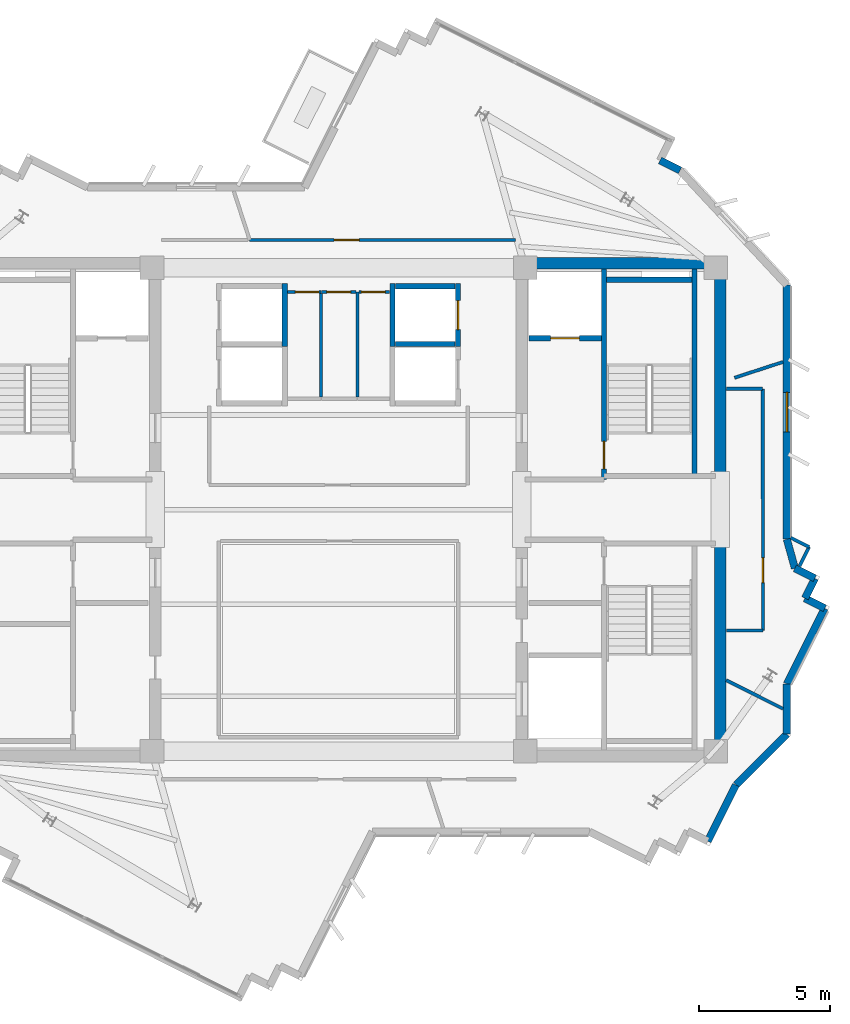
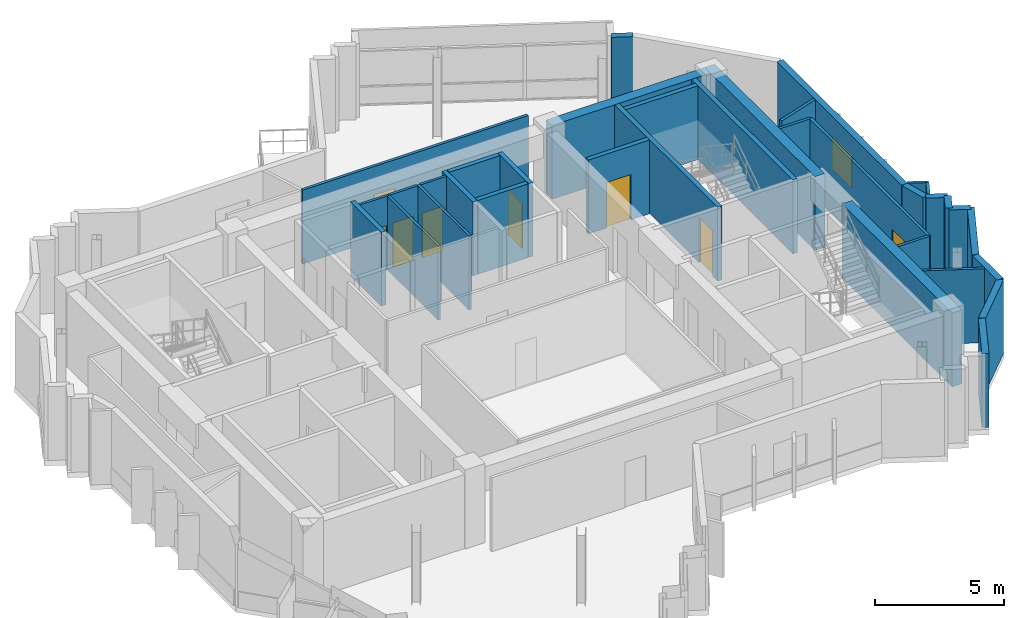
# One storey, part 8 of 11: 35 walls, 8 doors, 1 window, 9 openings.
"""IFC4 building model written with IfcOpenShell, lengths in metres."""

from ifc_helpers import new_model, si_unit, direction, frame, frame_2d, origin, place, context, subcontext, project, spatial, rectangle, extrude, source, transform, mapped, material, layer, layer_set, type_object, element, fill, save


model = new_model("IFC4")

# Units and contexts
model_context = context("Model", 3, precision=1e-05, world=origin(), true_north=direction((0.0, 1.0)))
body_context = subcontext(model_context, "Body", "Model", "MODEL_VIEW")
ifc_project = project(units=[si_unit("LENGTHUNIT", "METRE"), si_unit("AREAUNIT", "SQUARE_METRE"), si_unit("VOLUMEUNIT", "CUBIC_METRE"), si_unit("PLANEANGLEUNIT", "RADIAN"), si_unit("MASSUNIT", "GRAM", prefix="KILO")], contexts=[model_context])

# Site, building, storey
site_placement = place(None, origin())
site = spatial("IfcSite", under=ifc_project, at=site_placement, CompositionType="ELEMENT")
building_placement = place(site_placement, origin())
building = spatial("IfcBuilding", under=site, at=building_placement, Name="Zahravan Cultural Tower", CompositionType="ELEMENT")
storey_placement = place(building_placement, frame((0.0, 0.0, 353.550048828125)))
storey = spatial("IfcBuildingStorey", under=building, at=storey_placement, Name="L86", CompositionType="ELEMENT", Elevation=353.550048828125)

# Wall, opening, window
ifc_material_1 = material(Name="Precast concrete C40/50", Category="concrete")
ifc_layer_1 = layer(ifc_material_1, 0.280029296875)
ifc_layer_set_1 = layer_set([ifc_layer_1], Name="Precast concrete C40/50")
wall_type_1 = type_object("IfcWallType", Name="EW-TC-280", PredefinedType="SOLIDWALL", material=ifc_layer_set_1)
wall_1_placement = place(storey_placement, frame((53.06005859375, 35.5419921875, 0.0), z_axis=(0.0, 0.0, 1.0), x_axis=(0.0, -1.0, 0.0)))
wall_1 = element("IfcWall", 1, at=wall_1_placement, inside=storey, type_object=wall_type_1, Name="L86 Exterior Masonry Frame Wall 09", PredefinedType="SOLIDWALL", context=body_context, shape_type="SweptSolid", body=[
    extrude(rectangle(XDim=9.66748046875, YDim=0.280029296875, at=frame_2d((4.833740234375, 0.0))), origin(), (0.0, 0.0, 1.0), 3.5),
])
opening_1_placement = place(wall_1_placement, frame((4.083984375, 0.0, 0.85009765625)))
opening_1 = element("IfcOpeningElement", 2, at=opening_1_placement, cuts=wall_1, Name="Opening WN-03", PredefinedType="OPENING", context=body_context, shape_type="SweptSolid", body=[
    extrude(rectangle(XDim=1.5, YDim=1.5, at=frame_2d((0.75, 0.75))), frame((0.0, 0.14990234375, 0.0), z_axis=(0.0, -1.0, 0.0), x_axis=(1.0, 0.0, 0.0)), (0.0, 0.0, 1.0), 0.300048828125),
])
ifc_material_2 = material(Name="Low-E solar-control double glazing", Category="glass")
window_type = type_object("IfcWindowType", Name="WN-REC-1500X1500", PartitioningType="SINGLE_PANEL", PredefinedType="WINDOW", material=ifc_material_2)
shared_shape_1 = source(origin(), body_context, "Body", "SweptSolid", [
    extrude(rectangle(XDim=1.5, YDim=1.5, at=frame_2d((0.75, 0.75))), frame((0.0, 0.030029296875, 0.0), z_axis=(0.0, -1.0, 0.0), x_axis=(1.0, 0.0, 0.0)), (0.0, 0.0, 1.0), 0.06005859375),
])
window_placement = place(opening_1_placement, origin())
window = element("IfcWindow", 3, at=window_placement, inside=storey, type_object=window_type, Name="L86 Recessed Solar Window 02", OverallHeight=1.5, OverallWidth=1.5, PartitioningType="SINGLE_PANEL", PredefinedType="WINDOW", context=body_context, shape_type="MappedRepresentation", body=[
    mapped(shared_shape_1, transform((0.0, 0.0, 0.0), x_axis=(1.0, 0.0, 0.0), y_axis=(0.0, 1.0, 0.0), z_axis=(0.0, 0.0, 1.0), scale=1.0)),
])
fill(opening_1, window)

# Wall, opening, door
ifc_material_3 = material(Name="Gypsum plasterboard partition")
ifc_layer_2 = layer(ifc_material_3, 0.125)
ifc_layer_set_2 = layer_set([ifc_layer_2], Name="Gypsum plasterboard partition")
wall_type_2 = type_object("IfcWallType", Name="W-PART-125", PredefinedType="PARTITIONING", material=ifc_layer_set_2)
wall_2_placement = place(storey_placement, frame((52.14990234375, 22.406005859375, 0.0), z_axis=(0.0, 0.0, 1.0), x_axis=(-0.000132840935, 0.999999991177, 0.0)))
wall_2 = element("IfcWall", 4, at=wall_2_placement, inside=storey, type_object=wall_type_2, Name="L86 Interior Wall 050", PredefinedType="PARTITIONING", context=body_context, shape_type="SweptSolid", body=[
    extrude(rectangle(XDim=9.189208984375, YDim=0.125, at=frame_2d((4.5947265625, 0.0))), origin(), (0.0, 0.0, 1.0), 3.5),
])
opening_2_placement = place(wall_2_placement, frame((1.8125, 0.0, 0.0)))
opening_2 = element("IfcOpeningElement", 5, at=opening_2_placement, cuts=wall_2, Name="Opening D-L86-21", PredefinedType="OPENING", context=body_context, shape_type="SweptSolid", body=[
    extrude(rectangle(XDim=0.949951171875, YDim=2.14990234375, at=frame_2d((0.47509765625, 1.074951171875))), frame((0.0, 0.072509765625, 0.0), z_axis=(0.0, -1.0, 0.0), x_axis=(1.0, 0.0, 0.0)), (0.0, 0.0, 1.0), 0.14501953125),
])
ifc_material_4 = material(Name="Anodised bronze-aluminium mullion", Category="aluminium")
door_type_1 = type_object("IfcDoorType", Name="DR-ROOM-950", OperationType="NOTDEFINED", PredefinedType="DOOR", material=ifc_material_4)
shared_shape_2 = source(origin(), body_context, "Body", "SweptSolid", [
    extrude(rectangle(XDim=0.949951171875, YDim=2.14990234375, at=frame_2d((0.47509765625, 1.074951171875))), frame((0.0, 0.02490234375, 0.0), z_axis=(0.0, -1.0, 0.0), x_axis=(1.0, 0.0, 0.0)), (0.0, 0.0, 1.0), 0.050048828125),
])
door_1_placement = place(opening_2_placement, origin())
door_1 = element("IfcDoor", 6, at=door_1_placement, inside=storey, type_object=door_type_1, Name="L86 Door D-L86-21", OperationType="SINGLE_SWING_LEFT", OverallHeight=2.14990234375, OverallWidth=0.949951171875, PredefinedType="DOOR", context=body_context, shape_type="MappedRepresentation", body=[
    mapped(shared_shape_2, transform((0.0, 0.0, 0.0), x_axis=(1.0, 0.0, 0.0), y_axis=(0.0, 1.0, 0.0), z_axis=(0.0, 0.0, 1.0), scale=1.0)),
])
fill(opening_2, door_1)

wall_3_placement = place(storey_placement, frame((42.742431640625, 37.259765625, 0.0), z_axis=(0.0, 0.0, 1.0), x_axis=(-0.999999999709, 2.411847e-05, 0.0)))
wall_3 = element("IfcWall", 7, at=wall_3_placement, inside=storey, type_object=wall_type_2, Name="L86 Interior Wall 075", PredefinedType="PARTITIONING", context=body_context, shape_type="SweptSolid", body=[
    extrude(rectangle(XDim=10.12255859375, YDim=0.125, at=frame_2d((5.061279296875, 0.0))), origin(), (0.0, 0.0, 1.0), 3.5),
])
opening_3_placement = place(wall_3_placement, frame((5.962158203125, 0.0, 0.0)))
opening_3 = element("IfcOpeningElement", 8, at=opening_3_placement, cuts=wall_3, Name="Opening D-L86-17", PredefinedType="OPENING", context=body_context, shape_type="SweptSolid", body=[
    extrude(rectangle(XDim=0.949951171875, YDim=2.14990234375, at=frame_2d((0.47509765625, 1.074951171875))), frame((0.0, 0.072509765625, 0.0), z_axis=(0.0, -1.0, 0.0), x_axis=(1.0, 0.0, 0.0)), (0.0, 0.0, 1.0), 0.14501953125),
])
door_2_placement = place(opening_3_placement, origin())
door_2 = element("IfcDoor", 9, at=door_2_placement, inside=storey, type_object=door_type_1, Name="L86 Door D-L86-17", OperationType="SINGLE_SWING_LEFT", OverallHeight=2.14990234375, OverallWidth=0.949951171875, PredefinedType="DOOR", context=body_context, shape_type="MappedRepresentation", body=[
    mapped(shared_shape_2, transform((0.0, 0.0, 0.0), x_axis=(1.0, 0.0, 0.0), y_axis=(0.0, 1.0, 0.0), z_axis=(0.0, 0.0, 1.0), scale=1.0)),
])
fill(opening_3, door_2)

ifc_material_5 = material(Name="Concrete C45/55", Category="concrete")
ifc_layer_3 = layer(ifc_material_5, 0.199951171875)
ifc_layer_set_3 = layer_set([ifc_layer_3], Name="Concrete C45/55")
wall_type_3 = type_object("IfcWallType", Name="W-SHAFT-200", PredefinedType="SOLIDWALL", material=ifc_layer_set_3)
wall_4_placement = place(storey_placement, frame((46.10009765625, 28.14990234375, 0.0), z_axis=(0.0, 0.0, 1.0), x_axis=(0.0, 1.0, 0.0)))
wall_4 = element("IfcWall", 10, at=wall_4_placement, inside=storey, type_object=wall_type_3, Name="L86 Interior Wall 008", PredefinedType="SOLIDWALL", context=body_context, shape_type="SweptSolid", body=[
    extrude(rectangle(XDim=8.0, YDim=0.199951171875, at=frame_2d((4.0, 0.0))), origin(), (0.0, 0.0, 1.0), 3.5),
])
opening_4_placement = place(wall_4_placement, frame((0.39990234375, 0.0, 0.0)))
opening_4 = element("IfcOpeningElement", 11, at=opening_4_placement, cuts=wall_4, Name="Opening D-L86-02", PredefinedType="OPENING", context=body_context, shape_type="SweptSolid", body=[
    extrude(rectangle(XDim=1.050048828125, YDim=2.14990234375, at=frame_2d((0.52490234375, 1.074951171875))), frame((0.0, 0.10986328125, 0.0), z_axis=(0.0, -1.0, 0.0), x_axis=(1.0, 0.0, 0.0)), (0.0, 0.0, 1.0), 0.219970703125),
])
ifc_material_6 = material(Name="Steel ASTM A572 Grade 50", Category="steel")
door_type_2 = type_object("IfcDoorType", Name="DR-STAIR-1050", OperationType="NOTDEFINED", PredefinedType="DOOR", material=ifc_material_6)
shared_shape_3 = source(origin(), body_context, "Body", "SweptSolid", [
    extrude(rectangle(XDim=1.050048828125, YDim=2.14990234375, at=frame_2d((0.52490234375, 1.074951171875))), frame((0.0, 0.02490234375, 0.0), z_axis=(0.0, -1.0, 0.0), x_axis=(1.0, 0.0, 0.0)), (0.0, 0.0, 1.0), 0.050048828125),
])
door_3_placement = place(opening_4_placement, origin())
door_3 = element("IfcDoor", 12, at=door_3_placement, inside=storey, type_object=door_type_2, Name="L86 Door D-L86-02", OperationType="SINGLE_SWING_RIGHT", OverallHeight=2.14990234375, OverallWidth=1.050048828125, PredefinedType="DOOR", context=body_context, shape_type="MappedRepresentation", body=[
    mapped(shared_shape_3, transform((0.0, 0.0, 0.0), x_axis=(1.0, 0.0, 0.0), y_axis=(0.0, 1.0, 0.0), z_axis=(0.0, 0.0, 1.0), scale=1.0)),
])
fill(opening_4, door_3)

wall_5_placement = place(storey_placement, frame((43.25, 33.52001953125, 0.0), z_axis=(0.0, 0.0, 1.0), x_axis=(1.0, 0.0, 0.0)))
wall_5 = element("IfcWall", 13, at=wall_5_placement, inside=storey, type_object=wall_type_3, Name="L86 Interior Wall 023", PredefinedType="SOLIDWALL", context=body_context, shape_type="SweptSolid", body=[
    extrude(rectangle(XDim=2.75, YDim=0.199951171875, at=frame_2d((1.375, 0.0))), origin(), (0.0, 0.0, 1.0), 3.5),
])
opening_5_placement = place(wall_5_placement, frame((0.820068359375, 0.0, 0.0)))
opening_5 = element("IfcOpeningElement", 14, at=opening_5_placement, cuts=wall_5, Name="Opening LD-L86-02", PredefinedType="OPENING", context=body_context, shape_type="SweptSolid", body=[
    extrude(rectangle(XDim=1.10009765625, YDim=2.14990234375, at=frame_2d((0.550048828125, 1.074951171875))), frame((0.0, 0.10986328125, 0.0), z_axis=(0.0, -1.0, 0.0), x_axis=(1.0, 0.0, 0.0)), (0.0, 0.0, 1.0), 0.219970703125),
])
door_type_3 = type_object("IfcDoorType", Name="DR-LIFT-1100", OperationType="DOUBLE_DOOR_SLIDING", PredefinedType="DOOR", material=ifc_material_6)
shared_shape_4 = source(origin(), body_context, "Body", "SweptSolid", [
    extrude(rectangle(XDim=1.10009765625, YDim=2.14990234375, at=frame_2d((0.550048828125, 1.074951171875))), frame((0.0, 0.02490234375, 0.0), z_axis=(0.0, -1.0, 0.0), x_axis=(1.0, 0.0, 0.0)), (0.0, 0.0, 1.0), 0.050048828125),
])
door_4_placement = place(opening_5_placement, origin())
door_4 = element("IfcDoor", 15, at=door_4_placement, inside=storey, type_object=door_type_3, Name="L86 Door LD-L86-02", OperationType="DOUBLE_DOOR_SLIDING", OverallHeight=2.14990234375, OverallWidth=1.10009765625, PredefinedType="DOOR", context=body_context, shape_type="MappedRepresentation", body=[
    mapped(shared_shape_4, transform((0.0, 0.0, 0.0), x_axis=(1.0, 0.0, 0.0), y_axis=(0.0, 1.0, 0.0), z_axis=(0.0, 0.0, 1.0), scale=1.0)),
])
fill(opening_5, door_4)

wall_6_placement = place(storey_placement, frame((40.550048828125, 33.199951171875, 0.0), z_axis=(0.0, 0.0, 1.0), x_axis=(0.0, 1.0, 0.0)))
wall_6 = element("IfcWall", 16, at=wall_6_placement, inside=storey, type_object=wall_type_3, Name="L86 Interior Wall 035", PredefinedType="SOLIDWALL", context=body_context, shape_type="SweptSolid", body=[
    extrude(rectangle(XDim=2.400146484375, YDim=0.199951171875, at=frame_2d((1.2001953125, 0.0))), origin(), (0.0, 0.0, 1.0), 3.5),
])
opening_6_placement = place(wall_6_placement, frame((0.64990234375, 0.0, 0.0)))
opening_6 = element("IfcOpeningElement", 17, at=opening_6_placement, cuts=wall_6, Name="Opening LD-L86-06", PredefinedType="OPENING", context=body_context, shape_type="SweptSolid", body=[
    extrude(rectangle(XDim=1.10009765625, YDim=2.14990234375, at=frame_2d((0.550048828125, 1.074951171875))), frame((0.0, 0.10986328125, 0.0), z_axis=(0.0, -1.0, 0.0), x_axis=(1.0, 0.0, 0.0)), (0.0, 0.0, 1.0), 0.219970703125),
])
door_5_placement = place(opening_6_placement, origin())
door_5 = element("IfcDoor", 18, at=door_5_placement, inside=storey, type_object=door_type_3, Name="L86 Door LD-L86-06", OperationType="DOUBLE_DOOR_SLIDING", OverallHeight=2.14990234375, OverallWidth=1.10009765625, PredefinedType="DOOR", context=body_context, shape_type="MappedRepresentation", body=[
    mapped(shared_shape_4, transform((0.0, 0.0, 0.0), x_axis=(1.0, 0.0, 0.0), y_axis=(0.0, 1.0, 0.0), z_axis=(0.0, 0.0, 1.0), scale=1.0)),
])
fill(opening_6, door_5)

ifc_layer_4 = layer(ifc_material_3, 0.114990234375)
ifc_layer_set_4 = layer_set([ifc_layer_4], Name="Gypsum plasterboard partition")
wall_type_4 = type_object("IfcWallType", Name="W-WC-115", PredefinedType="PARTITIONING", material=ifc_layer_set_4)
wall_7_placement = place(storey_placement, frame((36.782470703125, 35.280029296875, 0.0), z_axis=(0.0, 0.0, 1.0), x_axis=(1.0, 0.0, 0.0)))
wall_7 = element("IfcWall", 19, at=wall_7_placement, inside=storey, type_object=wall_type_4, Name="L86 Interior Wall 043", PredefinedType="PARTITIONING", context=body_context, shape_type="SweptSolid", body=[
    extrude(rectangle(XDim=1.16259765625, YDim=0.114990234375, at=frame_2d((0.581298828125, 0.0))), origin(), (0.0, 0.0, 1.0), 3.5),
])
opening_7_placement = place(wall_7_placement, frame((0.0888671875, 0.0, 0.0)))
opening_7 = element("IfcOpeningElement", 20, at=opening_7_placement, cuts=wall_7, Name="Opening D-L86-15", PredefinedType="OPENING", context=body_context, shape_type="SweptSolid", body=[
    extrude(rectangle(XDim=0.89990234375, YDim=2.10009765625, at=frame_2d((0.449951171875, 1.050048828125))), frame((0.0, 0.0673828125, 0.0), z_axis=(0.0, -1.0, 0.0), x_axis=(1.0, 0.0, 0.0)), (0.0, 0.0, 1.0), 0.135009765625),
])
door_type_4 = type_object("IfcDoorType", Name="DR-WC-900", OperationType="NOTDEFINED", PredefinedType="DOOR", material=ifc_material_4)
shared_shape_5 = source(origin(), body_context, "Body", "SweptSolid", [
    extrude(rectangle(XDim=0.89990234375, YDim=2.10009765625, at=frame_2d((0.449951171875, 1.050048828125))), frame((0.0, 0.02490234375, 0.0), z_axis=(0.0, -1.0, 0.0), x_axis=(1.0, 0.0, 0.0)), (0.0, 0.0, 1.0), 0.050048828125),
])
door_6_placement = place(opening_7_placement, origin())
door_6 = element("IfcDoor", 21, at=door_6_placement, inside=storey, type_object=door_type_4, Name="L86 Door D-L86-15", OperationType="SINGLE_SWING_LEFT", OverallHeight=2.10009765625, OverallWidth=0.89990234375, PredefinedType="DOOR", context=body_context, shape_type="MappedRepresentation", body=[
    mapped(shared_shape_5, transform((0.0, 0.0, 0.0), x_axis=(1.0, 0.0, 0.0), y_axis=(0.0, 1.0, 0.0), z_axis=(0.0, 0.0, 1.0), scale=1.0)),
])
fill(opening_7, door_6)

wall_8_placement = place(storey_placement, frame((34.054931640625, 35.280029296875, 0.0), z_axis=(0.0, 0.0, 1.0), x_axis=(1.0, 0.0, 0.0)))
wall_8 = element("IfcWall", 22, at=wall_8_placement, inside=storey, type_object=wall_type_4, Name="L86 Interior Wall 045", PredefinedType="PARTITIONING", context=body_context, shape_type="SweptSolid", body=[
    extrude(rectangle(XDim=1.28515625, YDim=0.114990234375, at=frame_2d((0.642578125, 0.0))), origin(), (0.0, 0.0, 1.0), 3.5),
])
opening_8_placement = place(wall_8_placement, frame((0.30029296875, 0.0, 0.0)))
opening_8 = element("IfcOpeningElement", 23, at=opening_8_placement, cuts=wall_8, Name="Opening D-L86-13", PredefinedType="OPENING", context=body_context, shape_type="SweptSolid", body=[
    extrude(rectangle(XDim=0.89990234375, YDim=2.10009765625, at=frame_2d((0.449951171875, 1.050048828125))), frame((0.0, 0.0673828125, 0.0), z_axis=(0.0, -1.0, 0.0), x_axis=(1.0, 0.0, 0.0)), (0.0, 0.0, 1.0), 0.135009765625),
])
door_7_placement = place(opening_8_placement, origin())
door_7 = element("IfcDoor", 24, at=door_7_placement, inside=storey, type_object=door_type_4, Name="L86 Door D-L86-13", OperationType="SINGLE_SWING_LEFT", OverallHeight=2.10009765625, OverallWidth=0.89990234375, PredefinedType="DOOR", context=body_context, shape_type="MappedRepresentation", body=[
    mapped(shared_shape_5, transform((0.0, 0.0, 0.0), x_axis=(1.0, 0.0, 0.0), y_axis=(0.0, 1.0, 0.0), z_axis=(0.0, 0.0, 1.0), scale=1.0)),
])
fill(opening_8, door_7)

wall_9_placement = place(storey_placement, frame((35.360107421875, 35.280029296875, 0.0), z_axis=(0.0, 0.0, 1.0), x_axis=(1.0, 0.0, 0.0)))
wall_9 = element("IfcWall", 25, at=wall_9_placement, inside=storey, type_object=wall_type_4, Name="L86 Interior Wall 048", PredefinedType="PARTITIONING", context=body_context, shape_type="SweptSolid", body=[
    extrude(rectangle(XDim=1.29736328125, YDim=0.114990234375, at=frame_2d((0.648681640625, 0.0))), origin(), (0.0, 0.0, 1.0), 3.5),
])
opening_9_placement = place(wall_9_placement, frame((0.19873046875, 0.0, 0.0)))
opening_9 = element("IfcOpeningElement", 26, at=opening_9_placement, cuts=wall_9, Name="Opening D-L86-14", PredefinedType="OPENING", context=body_context, shape_type="SweptSolid", body=[
    extrude(rectangle(XDim=0.89990234375, YDim=2.10009765625, at=frame_2d((0.449951171875, 1.050048828125))), frame((0.0, 0.0673828125, 0.0), z_axis=(0.0, -1.0, 0.0), x_axis=(1.0, 0.0, 0.0)), (0.0, 0.0, 1.0), 0.135009765625),
])
door_8_placement = place(opening_9_placement, origin())
door_8 = element("IfcDoor", 27, at=door_8_placement, inside=storey, type_object=door_type_4, Name="L86 Door D-L86-14", OperationType="SINGLE_SWING_RIGHT", OverallHeight=2.10009765625, OverallWidth=0.89990234375, PredefinedType="DOOR", context=body_context, shape_type="MappedRepresentation", body=[
    mapped(shared_shape_5, transform((0.0, 0.0, 0.0), x_axis=(1.0, 0.0, 0.0), y_axis=(0.0, 1.0, 0.0), z_axis=(0.0, 0.0, 1.0), scale=1.0)),
])
fill(opening_9, door_8)

# Walls
ifc_material_7 = material(Name="Concrete C50/60", Category="concrete")
ifc_layer_5 = layer(ifc_material_7, 0.449951171875)
ifc_layer_set_5 = layer_set([ifc_layer_5], Name="Concrete C50/60")
wall_type_5 = type_object("IfcWallType", Name="CW-SHEAR-450-C50", PredefinedType="SHEAR", material=ifc_layer_set_5)
shared_shape_6 = source(origin(), body_context, "Body", "SweptSolid", [
    extrude(rectangle(XDim=8.550048828125, YDim=0.449951171875, at=frame_2d((4.27490234375, 0.0))), origin(), (0.0, 0.0, 1.0), 3.5),
])
for number, where, z_axis, x_axis, name in (
    (28, (50.52490234375, 17.39990234375, 0.0), (0.0, 0.0, 1.0), (0.0, 1.0, 0.0), "L86 Core Shear Wall CW-E-ES-L86"),
    (29, (50.52490234375, 28.050048828125, 0.0), (0.0, 0.0, 1.0), (0.0, 1.0, 0.0), "L86 Core Shear Wall CW-E-EN-L86"),
):
    element("IfcWall", number, at=place(storey_placement, frame(where, z_axis=z_axis, x_axis=x_axis)), inside=storey, type_object=wall_type_5, Name=name, PredefinedType="SHEAR", context=body_context, shape_type="MappedRepresentation", body=[
        mapped(shared_shape_6, transform((0.0, 0.0, 0.0), x_axis=(1.0, 0.0, 0.0), y_axis=(0.0, 1.0, 0.0), z_axis=(0.0, 0.0, 1.0), scale=1.0)),
    ])
shared_shape_7 = source(origin(), body_context, "Body", "SweptSolid", [
    extrude(rectangle(XDim=7.10009765625, YDim=0.449951171875, at=frame_2d((3.550048828125, 0.0))), origin(), (0.0, 0.0, 1.0), 3.5),
])
wall_10_placement = place(storey_placement, frame((43.199951171875, 36.375, 0.0), z_axis=(0.0, 0.0, 1.0), x_axis=(1.0, 0.0, 0.0)))
element("IfcWall", 30, at=wall_10_placement, inside=storey, type_object=wall_type_5, Name="L86 Core Shear Wall CW-E-N-L86", PredefinedType="SHEAR", context=body_context, shape_type="MappedRepresentation", body=[
    mapped(shared_shape_7, transform((0.0, 0.0, 0.0), x_axis=(1.0, 0.0, 0.0), y_axis=(0.0, 1.0, 0.0), z_axis=(0.0, 0.0, 1.0), scale=1.0)),
])
shared_shape_8 = source(origin(), body_context, "Body", "SweptSolid", [
    extrude(rectangle(XDim=0.85009765625, YDim=0.280029296875, at=frame_2d((0.425048828125, 0.0))), origin(), (0.0, 0.0, 1.0), 3.5),
])
for number, where, z_axis, x_axis, name in (
    (31, (48.23583984375, 40.289306640625, 0.0), (0.0, 0.0, 1.0), (0.893275332233, -0.449509934066, 0.0), "L86 Exterior Masonry Frame Wall 07"),
    (32, (53.368896484375, 24.767578125, 0.0), (0.0, 0.0, 1.0), (0.893448612452, -0.449165422653, 0.0), "L86 Exterior Masonry Frame Wall 11"),
    (33, (53.74658203125, 23.62646484375, 0.0), (0.0, 0.0, 1.0), (0.893275332233, -0.449509934066, 0.0), "L86 Exterior Masonry Frame Wall 13"),
):
    element("IfcWall", number, at=place(storey_placement, frame(where, z_axis=z_axis, x_axis=x_axis)), inside=storey, type_object=wall_type_1, Name=name, PredefinedType="SOLIDWALL", context=body_context, shape_type="MappedRepresentation", body=[
        mapped(shared_shape_8, transform((0.0, 0.0, 0.0), x_axis=(1.0, 0.0, 0.0), y_axis=(0.0, 1.0, 0.0), z_axis=(0.0, 0.0, 1.0), scale=1.0)),
    ])
shared_shape_9 = source(origin(), body_context, "Body", "SweptSolid", [
    extrude(rectangle(XDim=0.849853515625, YDim=0.280029296875, at=frame_2d((0.4248046875, 0.0))), origin(), (0.0, 0.0, 1.0), 3.5),
])
wall_11_placement = place(storey_placement, frame((54.12841796875, 24.3857421875, 0.0), z_axis=(0.0, 0.0, 1.0), x_axis=(-0.449280699695, -0.89339064965, 0.0)))
element("IfcWall", 34, at=wall_11_placement, inside=storey, type_object=wall_type_1, Name="L86 Exterior Masonry Frame Wall 12", PredefinedType="SOLIDWALL", context=body_context, shape_type="MappedRepresentation", body=[
    mapped(shared_shape_9, transform((0.0, 0.0, 0.0), x_axis=(1.0, 0.0, 0.0), y_axis=(0.0, 1.0, 0.0), z_axis=(0.0, 0.0, 1.0), scale=1.0)),
])
shared_shape_10 = source(origin(), body_context, "Body", "SweptSolid", [
    extrude(rectangle(XDim=1.149169921875, YDim=0.280029296875, at=frame_2d((0.57470703125, 0.0))), origin(), (0.0, 0.0, 1.0), 3.5),
])
wall_12_placement = place(storey_placement, frame((53.06005859375, 25.87451171875, 0.0), z_axis=(0.0, 0.0, 1.0), x_axis=(0.268739381154, -0.963212928182, 0.0)))
element("IfcWall", 35, at=wall_12_placement, inside=storey, type_object=wall_type_1, Name="L86 Exterior Masonry Frame Wall 10", PredefinedType="SOLIDWALL", context=body_context, shape_type="MappedRepresentation", body=[
    mapped(shared_shape_10, transform((0.0, 0.0, 0.0), x_axis=(1.0, 0.0, 0.0), y_axis=(0.0, 1.0, 0.0), z_axis=(0.0, 0.0, 1.0), scale=1.0)),
])
shared_shape_11 = source(origin(), body_context, "Body", "SweptSolid", [
    extrude(rectangle(XDim=3.217529296875, YDim=0.280029296875, at=frame_2d((1.60888671875, 0.0))), origin(), (0.0, 0.0, 1.0), 3.5),
])
wall_13_placement = place(storey_placement, frame((54.505859375, 23.244384765625, 0.0), z_axis=(0.0, 0.0, 1.0), x_axis=(-0.449336858059, -0.89336240574, 0.0)))
element("IfcWall", 36, at=wall_13_placement, inside=storey, type_object=wall_type_1, Name="L86 Exterior Masonry Frame Wall 14", PredefinedType="SOLIDWALL", context=body_context, shape_type="MappedRepresentation", body=[
    mapped(shared_shape_11, transform((0.0, 0.0, 0.0), x_axis=(1.0, 0.0, 0.0), y_axis=(0.0, 1.0, 0.0), z_axis=(0.0, 0.0, 1.0), scale=1.0)),
])
shared_shape_12 = source(origin(), body_context, "Body", "SweptSolid", [
    extrude(rectangle(XDim=1.911865234375, YDim=0.280029296875, at=frame_2d((0.9560546875, 0.0))), origin(), (0.0, 0.0, 1.0), 3.5),
])
wall_14_placement = place(storey_placement, frame((53.06005859375, 20.369873046875, 0.0), z_axis=(0.0, 0.0, 1.0), x_axis=(0.0, -1.0, 0.0)))
element("IfcWall", 37, at=wall_14_placement, inside=storey, type_object=wall_type_1, Name="L86 Exterior Masonry Frame Wall 15", PredefinedType="SOLIDWALL", context=body_context, shape_type="MappedRepresentation", body=[
    mapped(shared_shape_12, transform((0.0, 0.0, 0.0), x_axis=(1.0, 0.0, 0.0), y_axis=(0.0, 1.0, 0.0), z_axis=(0.0, 0.0, 1.0), scale=1.0)),
])
shared_shape_13 = source(origin(), body_context, "Body", "SweptSolid", [
    extrude(rectangle(XDim=2.73583984375, YDim=0.280029296875, at=frame_2d((1.367919921875, 0.0))), origin(), (0.0, 0.0, 1.0), 3.5),
])
wall_15_placement = place(storey_placement, frame((53.06005859375, 18.4580078125, 0.0), z_axis=(0.0, 0.0, 1.0), x_axis=(-0.707106781187, -0.707106781187, 0.0)))
element("IfcWall", 38, at=wall_15_placement, inside=storey, type_object=wall_type_1, Name="L86 Exterior Masonry Frame Wall 16", PredefinedType="SOLIDWALL", context=body_context, shape_type="MappedRepresentation", body=[
    mapped(shared_shape_13, transform((0.0, 0.0, 0.0), x_axis=(1.0, 0.0, 0.0), y_axis=(0.0, 1.0, 0.0), z_axis=(0.0, 0.0, 1.0), scale=1.0)),
])
shared_shape_14 = source(origin(), body_context, "Body", "SweptSolid", [
    extrude(rectangle(XDim=2.396728515625, YDim=0.280029296875, at=frame_2d((1.1982421875, 0.0))), origin(), (0.0, 0.0, 1.0), 3.5),
])
wall_16_placement = place(storey_placement, frame((51.12548828125, 16.5234375, 0.0), z_axis=(0.0, 0.0, 1.0), x_axis=(-0.449331154558, -0.893365274422, 0.0)))
element("IfcWall", 39, at=wall_16_placement, inside=storey, type_object=wall_type_1, Name="L86 Exterior Masonry Frame Wall 17", PredefinedType="SOLIDWALL", context=body_context, shape_type="MappedRepresentation", body=[
    mapped(shared_shape_14, transform((0.0, 0.0, 0.0), x_axis=(1.0, 0.0, 0.0), y_axis=(0.0, 1.0, 0.0), z_axis=(0.0, 0.0, 1.0), scale=1.0)),
])
shared_shape_15 = source(origin(), body_context, "Body", "SweptSolid", [
    extrude(rectangle(XDim=7.869873046875, YDim=0.199951171875, at=frame_2d((3.93505859375, 0.0))), origin(), (0.0, 0.0, 1.0), 3.5),
])
wall_17_placement = place(storey_placement, frame((49.550048828125, 28.280029296875, 0.0), z_axis=(0.0, 0.0, 1.0), x_axis=(0.0, 1.0, 0.0)))
element("IfcWall", 40, at=wall_17_placement, inside=storey, type_object=wall_type_3, Name="L86 Interior Wall 004", PredefinedType="SOLIDWALL", context=body_context, shape_type="MappedRepresentation", body=[
    mapped(shared_shape_15, transform((0.0, 0.0, 0.0), x_axis=(1.0, 0.0, 0.0), y_axis=(0.0, 1.0, 0.0), z_axis=(0.0, 0.0, 1.0), scale=1.0)),
])
shared_shape_16 = source(origin(), body_context, "Body", "SweptSolid", [
    extrude(rectangle(XDim=3.25, YDim=0.199951171875, at=frame_2d((1.625, 0.0))), origin(), (0.0, 0.0, 1.0), 3.5),
])
wall_18_placement = place(storey_placement, frame((46.199951171875, 35.75, 0.0), z_axis=(0.0, 0.0, 1.0), x_axis=(1.0, 0.0, 0.0)))
element("IfcWall", 41, at=wall_18_placement, inside=storey, type_object=wall_type_3, Name="L86 Interior Wall 018", PredefinedType="SOLIDWALL", context=body_context, shape_type="MappedRepresentation", body=[
    mapped(shared_shape_16, transform((0.0, 0.0, 0.0), x_axis=(1.0, 0.0, 0.0), y_axis=(0.0, 1.0, 0.0), z_axis=(0.0, 0.0, 1.0), scale=1.0)),
])
shared_shape_17 = source(origin(), body_context, "Body", "SweptSolid", [
    extrude(rectangle(XDim=2.400146484375, YDim=0.199951171875, at=frame_2d((1.2001953125, 0.0))), origin(), (0.0, 0.0, 1.0), 3.5),
])
for number, where, z_axis, x_axis, name in (
    (42, (33.949951171875, 33.199951171875, 0.0), (0.0, 0.0, 1.0), (0.0, 1.0, 0.0), "L86 Interior Wall 028"),
    (43, (38.050048828125, 33.199951171875, 0.0), (0.0, 0.0, 1.0), (0.0, 1.0, 0.0), "L86 Interior Wall 034"),
):
    element("IfcWall", number, at=place(storey_placement, frame(where, z_axis=z_axis, x_axis=x_axis)), inside=storey, type_object=wall_type_3, Name=name, PredefinedType="SOLIDWALL", context=body_context, shape_type="MappedRepresentation", body=[
        mapped(shared_shape_17, transform((0.0, 0.0, 0.0), x_axis=(1.0, 0.0, 0.0), y_axis=(0.0, 1.0, 0.0), z_axis=(0.0, 0.0, 1.0), scale=1.0)),
    ])
shared_shape_18 = source(origin(), body_context, "Body", "SweptSolid", [
    extrude(rectangle(XDim=2.260009765625, YDim=0.199951171875, at=frame_2d((1.1298828125, 0.0))), origin(), (0.0, 0.0, 1.0), 3.5),
])
for number, where, z_axis, x_axis, name in (
    (44, (38.169921875, 33.300048828125, 0.0), (0.0, 0.0, 1.0), (1.0, 0.0, 0.0), "L86 Interior Wall 036"),
    (45, (38.169921875, 35.5, 0.0), (0.0, 0.0, 1.0), (1.0, 0.0, 0.0), "L86 Interior Wall 037"),
):
    element("IfcWall", number, at=place(storey_placement, frame(where, z_axis=z_axis, x_axis=x_axis)), inside=storey, type_object=wall_type_3, Name=name, PredefinedType="SOLIDWALL", context=body_context, shape_type="MappedRepresentation", body=[
        mapped(shared_shape_18, transform((0.0, 0.0, 0.0), x_axis=(1.0, 0.0, 0.0), y_axis=(0.0, 1.0, 0.0), z_axis=(0.0, 0.0, 1.0), scale=1.0)),
    ])
shared_shape_19 = source(origin(), body_context, "Body", "SweptSolid", [
    extrude(rectangle(XDim=1.38916015625, YDim=0.125, at=frame_2d((0.694580078125, 0.0))), origin(), (0.0, 0.0, 1.0), 3.5),
])
wall_19_placement = place(storey_placement, frame((50.7548828125, 22.39990234375, 0.0), z_axis=(0.0, 0.0, 1.0), x_axis=(1.0, 0.0, 0.0)))
element("IfcWall", 46, at=wall_19_placement, inside=storey, type_object=wall_type_2, Name="L86 Interior Wall 049", PredefinedType="PARTITIONING", context=body_context, shape_type="MappedRepresentation", body=[
    mapped(shared_shape_19, transform((0.0, 0.0, 0.0), x_axis=(1.0, 0.0, 0.0), y_axis=(0.0, 1.0, 0.0), z_axis=(0.0, 0.0, 1.0), scale=1.0)),
])
shared_shape_20 = source(origin(), body_context, "Body", "SweptSolid", [
    extrude(rectangle(XDim=3.99755859375, YDim=0.114990234375, at=frame_2d((1.998779296875, 0.0))), origin(), (0.0, 0.0, 1.0), 3.5),
])
wall_20_placement = place(storey_placement, frame((36.719970703125, 31.282470703125, 0.0), z_axis=(0.0, 0.0, 1.0), x_axis=(0.0, 1.0, 0.0)))
element("IfcWall", 47, at=wall_20_placement, inside=storey, type_object=wall_type_4, Name="L86 Interior Wall 042", PredefinedType="PARTITIONING", context=body_context, shape_type="MappedRepresentation", body=[
    mapped(shared_shape_20, transform((0.0, 0.0, 0.0), x_axis=(1.0, 0.0, 0.0), y_axis=(0.0, 1.0, 0.0), z_axis=(0.0, 0.0, 1.0), scale=1.0)),
])
shared_shape_21 = source(origin(), body_context, "Body", "SweptSolid", [
    extrude(rectangle(XDim=3.93505859375, YDim=0.114990234375, at=frame_2d((1.967529296875, 0.0))), origin(), (0.0, 0.0, 1.0), 3.5),
])
wall_21_placement = place(storey_placement, frame((35.340087890625, 35.217529296875, 0.0), z_axis=(0.0, 0.0, 1.0), x_axis=(0.0, -1.0, 0.0)))
element("IfcWall", 48, at=wall_21_placement, inside=storey, type_object=wall_type_4, Name="L86 Interior Wall 046", PredefinedType="PARTITIONING", context=body_context, shape_type="MappedRepresentation", body=[
    mapped(shared_shape_21, transform((0.0, 0.0, 0.0), x_axis=(1.0, 0.0, 0.0), y_axis=(0.0, 1.0, 0.0), z_axis=(0.0, 0.0, 1.0), scale=1.0)),
])
shared_shape_22 = source(origin(), body_context, "Body", "SweptSolid", [
    extrude(rectangle(XDim=1.38232421875, YDim=0.125, at=frame_2d((0.691162109375, 0.0))), origin(), (0.0, 0.0, 1.0), 3.5),
])
wall_22_placement = place(storey_placement, frame((52.13720703125, 31.59521484375, 0.0), z_axis=(0.0, 0.0, 1.0), x_axis=(-0.999994369671, 0.003355685804, 0.0)))
element("IfcWall", 49, at=wall_22_placement, inside=storey, type_object=wall_type_2, Name="L86 Interior Wall 051", PredefinedType="PARTITIONING", context=body_context, shape_type="MappedRepresentation", body=[
    mapped(shared_shape_22, transform((0.0, 0.0, 0.0), x_axis=(1.0, 0.0, 0.0), y_axis=(0.0, 1.0, 0.0), z_axis=(0.0, 0.0, 1.0), scale=1.0)),
])
shared_shape_23 = source(origin(), body_context, "Body", "SweptSolid", [
    extrude(rectangle(XDim=1.9404296875, YDim=0.125, at=frame_2d((0.97021484375, 0.0))), origin(), (0.0, 0.0, 1.0), 3.5),
])
wall_23_placement = place(storey_placement, frame((51.070068359375, 32.018798828125, 0.0), z_axis=(0.0, 0.0, 1.0), x_axis=(0.950812842577, 0.309765941303, 0.0)))
element("IfcWall", 50, at=wall_23_placement, inside=storey, type_object=wall_type_2, Name="L86 Interior Wall 052", PredefinedType="PARTITIONING", context=body_context, shape_type="MappedRepresentation", body=[
    mapped(shared_shape_23, transform((0.0, 0.0, 0.0), x_axis=(1.0, 0.0, 0.0), y_axis=(0.0, 1.0, 0.0), z_axis=(0.0, 0.0, 1.0), scale=1.0)),
])
shared_shape_24 = source(origin(), body_context, "Body", "SweptSolid", [
    extrude(rectangle(XDim=0.791259765625, YDim=0.125, at=frame_2d((0.3955078125, 0.0))), origin(), (0.0, 0.0, 1.0), 3.5),
])
wall_24_placement = place(storey_placement, frame((53.205078125, 25.93603515625, 0.0), z_axis=(0.0, 0.0, 1.0), x_axis=(0.893437787625, -0.449186953999, 0.0)))
element("IfcWall", 51, at=wall_24_placement, inside=storey, type_object=wall_type_2, Name="L86 Interior Wall 053", PredefinedType="PARTITIONING", context=body_context, shape_type="MappedRepresentation", body=[
    mapped(shared_shape_24, transform((0.0, 0.0, 0.0), x_axis=(1.0, 0.0, 0.0), y_axis=(0.0, 1.0, 0.0), z_axis=(0.0, 0.0, 1.0), scale=1.0)),
])
shared_shape_25 = source(origin(), body_context, "Body", "SweptSolid", [
    extrude(rectangle(XDim=0.8251953125, YDim=0.125, at=frame_2d((0.41259765625, 0.0))), origin(), (0.0, 0.0, 1.0), 3.5),
])
wall_25_placement = place(storey_placement, frame((53.912109375, 25.58056640625, 0.0), z_axis=(0.0, 0.0, 1.0), x_axis=(-0.449106057678, -0.893478454669, 0.0)))
element("IfcWall", 52, at=wall_25_placement, inside=storey, type_object=wall_type_2, Name="L86 Interior Wall 054", PredefinedType="PARTITIONING", context=body_context, shape_type="MappedRepresentation", body=[
    mapped(shared_shape_25, transform((0.0, 0.0, 0.0), x_axis=(1.0, 0.0, 0.0), y_axis=(0.0, 1.0, 0.0), z_axis=(0.0, 0.0, 1.0), scale=1.0)),
])
shared_shape_26 = source(origin(), body_context, "Body", "SweptSolid", [
    extrude(rectangle(XDim=2.41796875, YDim=0.125, at=frame_2d((1.208984375, 0.0))), origin(), (0.0, 0.0, 1.0), 3.5),
])
wall_26_placement = place(storey_placement, frame((52.9150390625, 19.421630859375, 0.0), z_axis=(0.0, 0.0, 1.0), x_axis=(-0.893374646663, 0.449312520078, 0.0)))
element("IfcWall", 53, at=wall_26_placement, inside=storey, type_object=wall_type_2, Name="L86 Interior Wall 055", PredefinedType="PARTITIONING", context=body_context, shape_type="MappedRepresentation", body=[
    mapped(shared_shape_26, transform((0.0, 0.0, 0.0), x_axis=(1.0, 0.0, 0.0), y_axis=(0.0, 1.0, 0.0), z_axis=(0.0, 0.0, 1.0), scale=1.0)),
])

save(model, "model.ifc")
